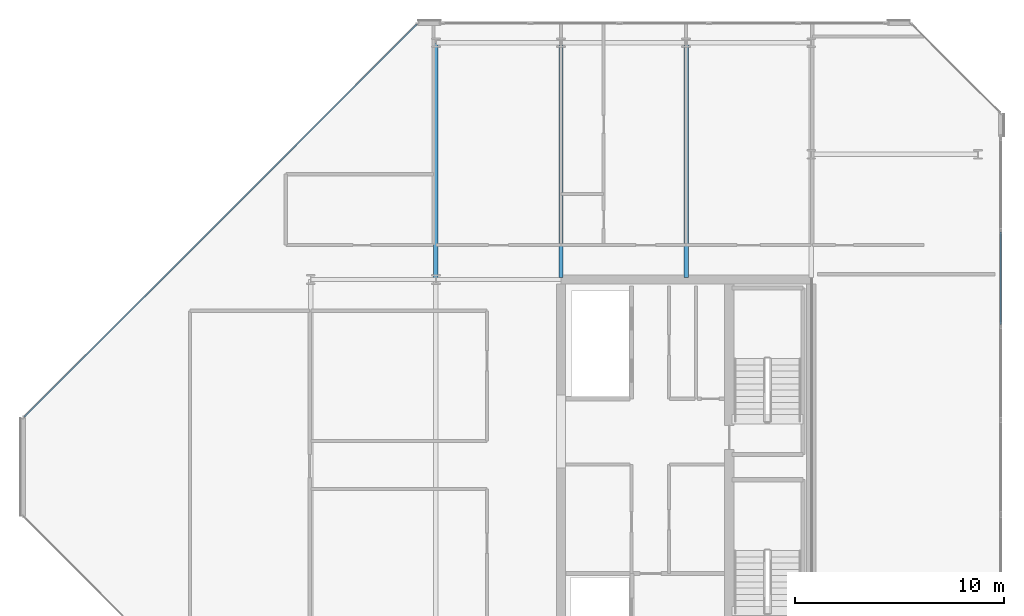
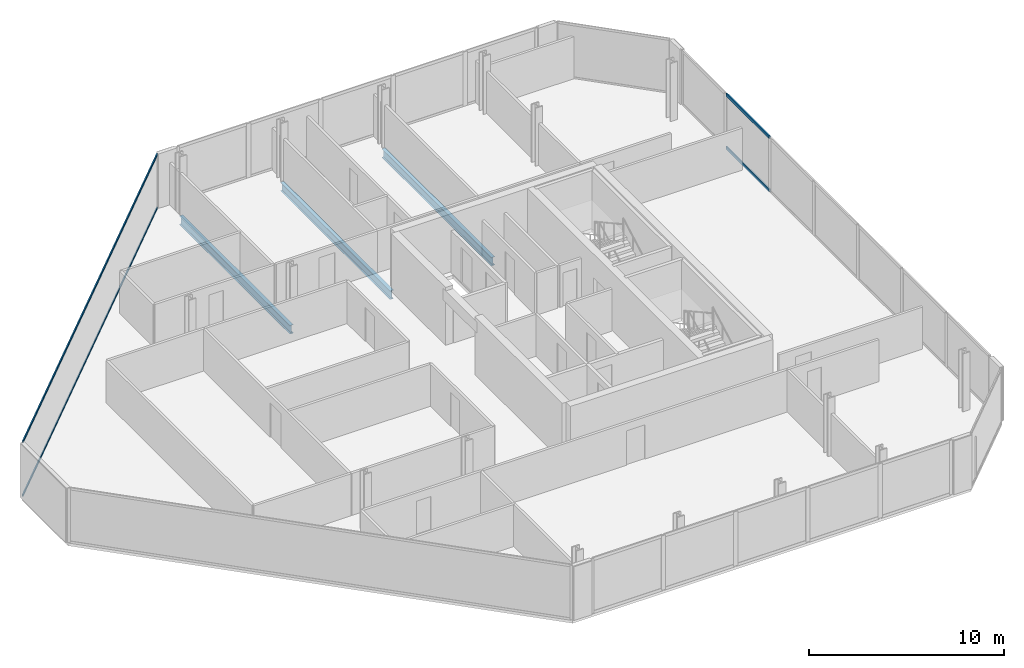
# One storey, part 9 of 17: 4 members, 3 beams, 2 elements without a shape of their own.
"""IFC4 building model written with IfcOpenShell, lengths in metres."""

from ifc_helpers import new_model, si_unit, direction, frame, origin, origin_2d, place, context, subcontext, project, spatial, hollow_rectangle, i_section, extrude, material, layer, layer_set, material_profile, profile_set, type_object, element, aggregate, save


model = new_model("IFC4")

# Units and contexts
model_context = context("Model", 3, precision=1e-05, world=origin(), true_north=direction((0.0, 1.0)))
body_context = subcontext(model_context, "Body", "Model", "MODEL_VIEW")
ifc_project = project(units=[si_unit("LENGTHUNIT", "METRE"), si_unit("AREAUNIT", "SQUARE_METRE"), si_unit("VOLUMEUNIT", "CUBIC_METRE"), si_unit("PLANEANGLEUNIT", "RADIAN"), si_unit("MASSUNIT", "GRAM", prefix="KILO")], contexts=[model_context])

# Site, building, storey
site_placement = place(None, origin())
site = spatial("IfcSite", under=ifc_project, at=site_placement, CompositionType="ELEMENT")
building_placement = place(site_placement, origin())
building = spatial("IfcBuilding", under=site, at=building_placement, Name="Tanjung Sevakor Pilgrim Tower", CompositionType="ELEMENT")
storey_placement = place(building_placement, frame((0.0, 0.0, 264.330078125)))
storey = spatial("IfcBuildingStorey", under=building, at=storey_placement, Name="L74", CompositionType="ELEMENT", Elevation=264.330078125)

# Beams
ifc_material_1 = material(Name="Steel S355J2", Category="steel")
ifc_material_profile_1 = material_profile(ifc_material_1, i_section(OverallWidth=0.210693359375, OverallDepth=0.53955078125, WebThickness=0.01171875, FlangeThickness=0.018798828125, FilletRadius=0.0126953125, at=origin_2d()))
ifc_profile_set_1 = profile_set([ifc_material_profile_1], Name="Steel S355J2")
beam_type = type_object("IfcBeamType", Name="BM-B-G6-UB_533x210x109", PredefinedType="BEAM", material=ifc_profile_set_1)
beam_placement = place(storey_placement, frame((72.0, 42.60009765625, -0.48974609375), z_axis=(0.0, 1.0, 0.0), x_axis=(-1.0, 0.0, 0.0)))
element("IfcBeam", 1, at=beam_placement, inside=storey, type_object=beam_type, Name="L74 EAST Girder 004", PredefinedType="BEAM", context=body_context, shape_type="SweptSolid", body=[
    extrude(i_section(OverallWidth=0.210693359375, OverallDepth=0.53955078125, WebThickness=0.01171875, FlangeThickness=0.018798828125, FilletRadius=0.0126953125, at=origin_2d()), origin(), (0.0, 0.0, 1.0), 11.349853515625),
])
for number, where, z_axis, x_axis, name in (
    (2, (78.0, 42.7060546875, -0.48974609375), (0.0, 1.0, 0.0), (-1.0, 0.0, 0.0), "L74 EAST Girder 006"),
    (3, (84.0, 42.7060546875, -0.48974609375), (0.0, 1.0, 0.0), (-1.0, 0.0, 0.0), "L74 EAST Girder 008"),
):
    element("IfcBeam", number, at=place(storey_placement, frame(where, z_axis=z_axis, x_axis=x_axis)), inside=storey, type_object=beam_type, Name=name, PredefinedType="BEAM", context=body_context, shape_type="SweptSolid", body=[
        extrude(i_section(OverallWidth=0.210693359375, OverallDepth=0.53955078125, WebThickness=0.01171875, FlangeThickness=0.018798828125, FilletRadius=0.0126953125, at=origin_2d()), origin(), (0.0, 0.0, 1.0), 11.243896484375),
    ])

# Curtain wall, members
ifc_material_2 = material(Name="Aluminium 6063-T6 and Low-E Glass", Category="aluminium")
ifc_layer_1 = layer(ifc_material_2, 0.179931640625)
ifc_layer_set_1 = layer_set([ifc_layer_1], Name="CW-SYS-CHAM")
curtain_wall_type_1 = type_object("IfcCurtainWallType", Name="CW-SYS-CHAM", PredefinedType="NOTDEFINED", material=ifc_layer_set_1)
curtain_wall_1_placement = place(storey_placement, origin())
curtain_wall_1 = element("IfcCurtainWall", 4, at=curtain_wall_1_placement, inside=storey, type_object=curtain_wall_type_1, Name="L74 Curtain Wall CW-CHM-L74-EAST-5", PredefinedType="NOTDEFINED")
ifc_material_3 = material(Name="Aluminium 6063-T6", Category="aluminium")
ifc_material_profile_2 = material_profile(ifc_material_3, hollow_rectangle(XDim=0.06494140625, YDim=0.139892578125, WallThickness=0.00390625, at=origin_2d()))
ifc_profile_set_2 = profile_set([ifc_material_profile_2], Name="Aluminium 6063-T6")
member_type_1 = type_object("IfcMemberType", Name="TYPE-CWT-1", PredefinedType="USERDEFINED", material=ifc_profile_set_2)
member_1_placement = place(storey_placement, frame((71.099609375, 54.843994140625, 0.032470703125), z_axis=(-0.707106781187, -0.707106781187, 0.0), x_axis=(0.707106781187, -0.707106781187, 0.0)))
member_1 = element("IfcMember", 5, at=member_1_placement, type_object=member_type_1, Name="CW-CHM transom 1.1", ObjectType="TRANSOM", PredefinedType="USERDEFINED", context=body_context, shape_type="SweptSolid", body=[
    extrude(hollow_rectangle(XDim=0.06494140625, YDim=0.139892578125, WallThickness=0.00390625, at=origin_2d()), origin(), (0.0, 0.0, 1.0), 26.649169921875),
])
member_2_placement = place(storey_placement, frame((71.099609375, 54.843994140625, 3.37744140625), z_axis=(-0.707106781187, -0.707106781187, 0.0), x_axis=(0.707106781187, -0.707106781187, 0.0)))
member_2 = element("IfcMember", 6, at=member_2_placement, type_object=member_type_1, Name="CW-CHM transom 1.2", ObjectType="TRANSOM", PredefinedType="USERDEFINED", context=body_context, shape_type="SweptSolid", body=[
    extrude(hollow_rectangle(XDim=0.06494140625, YDim=0.139892578125, WallThickness=0.00390625, at=origin_2d()), origin(), (0.0, 0.0, 1.0), 26.649169921875),
])
aggregate(curtain_wall_1, [member_1, member_2])

ifc_material_4 = material(Name="Aluminium 6063-T6 and Low-E Glass", Category="aluminium")
ifc_layer_2 = layer(ifc_material_4, 0.219970703125)
ifc_layer_set_2 = layer_set([ifc_layer_2], Name="CW-SYS-CRNE")
curtain_wall_type_2 = type_object("IfcCurtainWallType", Name="CW-SYS-CRNE", PredefinedType="NOTDEFINED", material=ifc_layer_set_2)
curtain_wall_2_placement = place(storey_placement, origin())
curtain_wall_2 = element("IfcCurtainWall", 7, at=curtain_wall_2_placement, inside=storey, type_object=curtain_wall_type_2, Name="L74 Curtain Wall CW-CRN-L74-EAST-2-1", PredefinedType="NOTDEFINED")
ifc_material_5 = material(Name="Aluminium 6063-T6", Category="aluminium")
ifc_material_profile_3 = material_profile(ifc_material_5, hollow_rectangle(XDim=0.080078125, YDim=0.179931640625, WallThickness=0.0048828125, at=origin_2d()))
ifc_profile_set_3 = profile_set([ifc_material_profile_3], Name="Aluminium 6063-T6")
member_type_2 = type_object("IfcMemberType", Name="TYPE-CWT-3", PredefinedType="USERDEFINED", material=ifc_profile_set_3)
member_3_placement = place(storey_placement, frame((99.090087890625, 40.434814453125, 0.0400390625), z_axis=(0.0, 1.0, 0.0), x_axis=(-1.0, 0.0, 0.0)))
member_3 = element("IfcMember", 8, at=member_3_placement, type_object=member_type_2, Name="CW-CRE transom 6.1", ObjectType="TRANSOM", PredefinedType="USERDEFINED", context=body_context, shape_type="SweptSolid", body=[
    extrude(hollow_rectangle(XDim=0.080078125, YDim=0.179931640625, WallThickness=0.0048828125, at=origin_2d()), origin(), (0.0, 0.0, 1.0), 4.44970703125),
])
member_4_placement = place(storey_placement, frame((99.090087890625, 40.434814453125, 3.369873046875), z_axis=(0.0, 1.0, 0.0), x_axis=(-1.0, 0.0, 0.0)))
member_4 = element("IfcMember", 9, at=member_4_placement, type_object=member_type_2, Name="CW-CRE transom 6.2", ObjectType="TRANSOM", PredefinedType="USERDEFINED", context=body_context, shape_type="SweptSolid", body=[
    extrude(hollow_rectangle(XDim=0.080078125, YDim=0.179931640625, WallThickness=0.0048828125, at=origin_2d()), origin(), (0.0, 0.0, 1.0), 4.44970703125),
])
aggregate(curtain_wall_2, [member_3, member_4])

save(model, "model.ifc")
